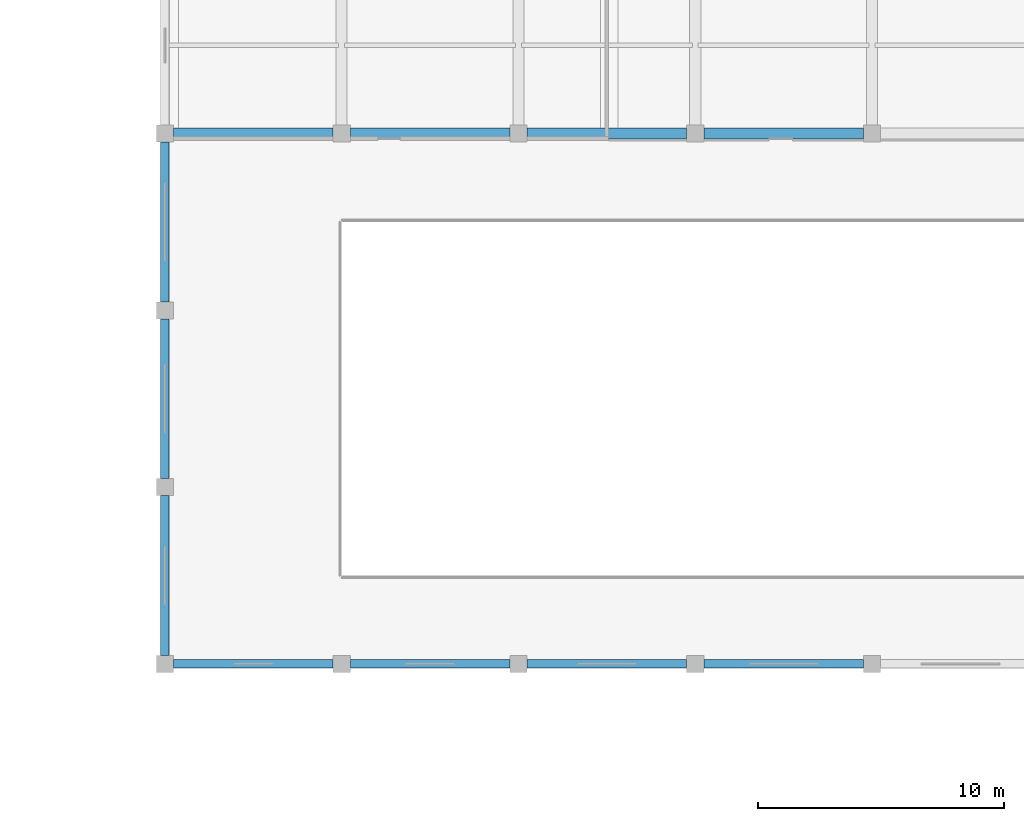
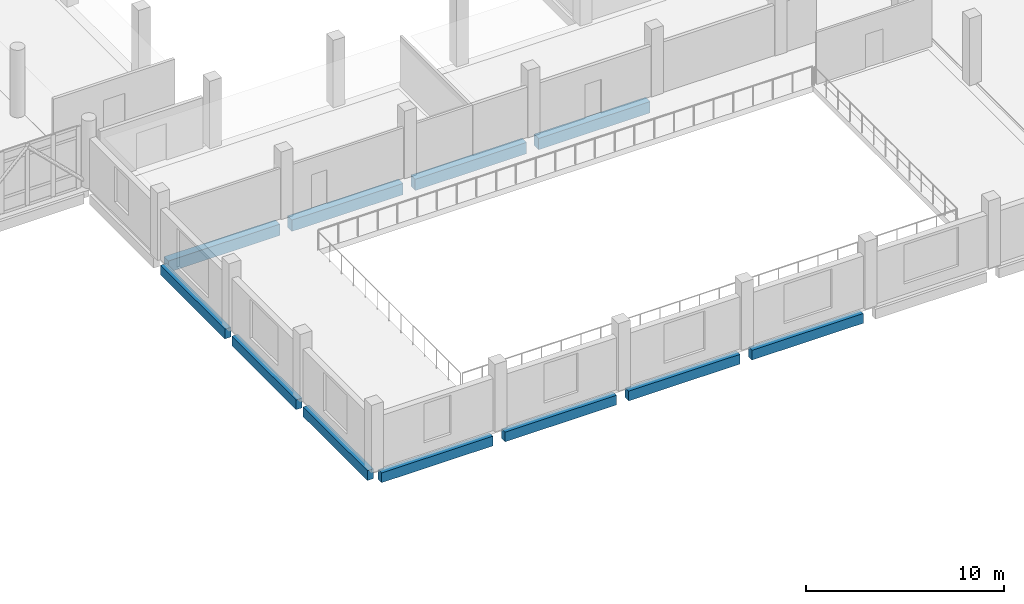
# One storey, part 11 of 57: 11 beams.
"""IFC4 building model written with IfcOpenShell, lengths in metres."""

from ifc_helpers import new_model, si_unit, direction, frame, origin, origin_2d, place, context, subcontext, project, spatial, rectangle, extrude, material, material_profile, profile_set, type_object, element, save


model = new_model("IFC4")

# Units and contexts
model_context = context("Model", 3, precision=1e-05, world=origin(), true_north=direction((0.0, 1.0)))
body_context = subcontext(model_context, "Body", "Model", "MODEL_VIEW")
ifc_project = project(units=[si_unit("LENGTHUNIT", "METRE"), si_unit("AREAUNIT", "SQUARE_METRE"), si_unit("VOLUMEUNIT", "CUBIC_METRE"), si_unit("PLANEANGLEUNIT", "RADIAN"), si_unit("MASSUNIT", "GRAM", prefix="KILO")], contexts=[model_context])

# Site, building, storey
site_placement = place(None, origin())
site = spatial("IfcSite", under=ifc_project, at=site_placement, CompositionType="ELEMENT")
building_placement = place(site_placement, origin())
building = spatial("IfcBuilding", under=site, at=building_placement, Name="Valkovuoma Quantum and Materials Research Institute", CompositionType="ELEMENT")
storey_placement = place(building_placement, frame((0.0, 0.0, 4.800048828125)))
storey = spatial("IfcBuildingStorey", under=building, at=storey_placement, Name="L01", CompositionType="ELEMENT", Elevation=4.800048828125)

# Beams
ifc_material_1 = material(Name="Concrete C40/50", Category="concrete")
ifc_material_profile_1 = material_profile(ifc_material_1, rectangle(XDim=0.449951171875, YDim=0.699951171875, at=origin_2d()), Name="Concrete C40/50")
ifc_profile_set_1 = profile_set([ifc_material_profile_1], Name="Concrete C40/50")
beam_type_1 = type_object("IfcBeamType", Name="Beam-B-RC700", PredefinedType="BEAM", material=ifc_profile_set_1)
for number, where, z_axis, x_axis, name in (
    (1, (101.14990234375, 28.800048828125, -0.699951171875), (1.0, 0.0, 0.0), (0.0, 1.0, 0.0), "L01 beam X-0558"),
    (2, (108.35009765625, 28.800048828125, -0.699951171875), (1.0, 0.0, 0.0), (0.0, 1.0, 0.0), "L01 beam X-0559"),
    (3, (115.550048828125, 28.800048828125, -0.699951171875), (1.0, 0.0, 0.0), (0.0, 1.0, 0.0), "L01 beam X-0560"),
    (4, (122.75, 28.800048828125, -0.699951171875), (1.0, 0.0, 0.0), (0.0, 1.0, 0.0), "L01 beam X-0561"),
):
    element("IfcBeam", number, at=place(storey_placement, frame(where, z_axis=z_axis, x_axis=x_axis)), inside=storey, type_object=beam_type_1, Name=name, PredefinedType="BEAM", context=body_context, shape_type="SweptSolid", body=[
        extrude(rectangle(XDim=0.449951171875, YDim=0.699951171875, at=origin_2d()), origin(), (0.0, 0.0, 1.0), 6.5),
    ])
ifc_material_2 = material(Name="Concrete C40/50", Category="concrete")
ifc_material_profile_2 = material_profile(ifc_material_2, rectangle(XDim=0.35009765625, YDim=0.60009765625, at=origin_2d()), Name="Concrete C40/50")
ifc_profile_set_2 = profile_set([ifc_material_profile_2], Name="Concrete C40/50")
beam_type_2 = type_object("IfcBeamType", Name="Beam-B-SPN600", PredefinedType="SPANDREL", material=ifc_profile_set_2)
for number, where, z_axis, x_axis, name in (
    (5, (101.14990234375, 7.199951171875, -0.650146484375), (1.0, 0.0, 0.0), (0.0, 1.0, 0.0), "L01 beam X-0550"),
    (6, (108.35009765625, 7.199951171875, -0.650146484375), (1.0, 0.0, 0.0), (0.0, 1.0, 0.0), "L01 beam X-0551"),
    (7, (115.550048828125, 7.199951171875, -0.650146484375), (1.0, 0.0, 0.0), (0.0, 1.0, 0.0), "L01 beam X-0552"),
    (8, (122.75, 7.199951171875, -0.650146484375), (1.0, 0.0, 0.0), (0.0, 1.0, 0.0), "L01 beam X-0553"),
    (9, (100.800048828125, 7.550048828125, -0.650146484375), (0.0, 1.0, 0.0), (-1.0, 0.0, 0.0), "L01 beam Y-0780"),
    (10, (100.800048828125, 14.75, -0.650146484375), (0.0, 1.0, 0.0), (-1.0, 0.0, 0.0), "L01 beam Y-0781"),
    (11, (100.800048828125, 21.949951171875, -0.650146484375), (0.0, 1.0, 0.0), (-1.0, 0.0, 0.0), "L01 beam Y-0782"),
):
    element("IfcBeam", number, at=place(storey_placement, frame(where, z_axis=z_axis, x_axis=x_axis)), inside=storey, type_object=beam_type_2, Name=name, PredefinedType="SPANDREL", context=body_context, shape_type="SweptSolid", body=[
        extrude(rectangle(XDim=0.35009765625, YDim=0.60009765625, at=origin_2d()), origin(), (0.0, 0.0, 1.0), 6.5),
    ])

save(model, "model.ifc")
